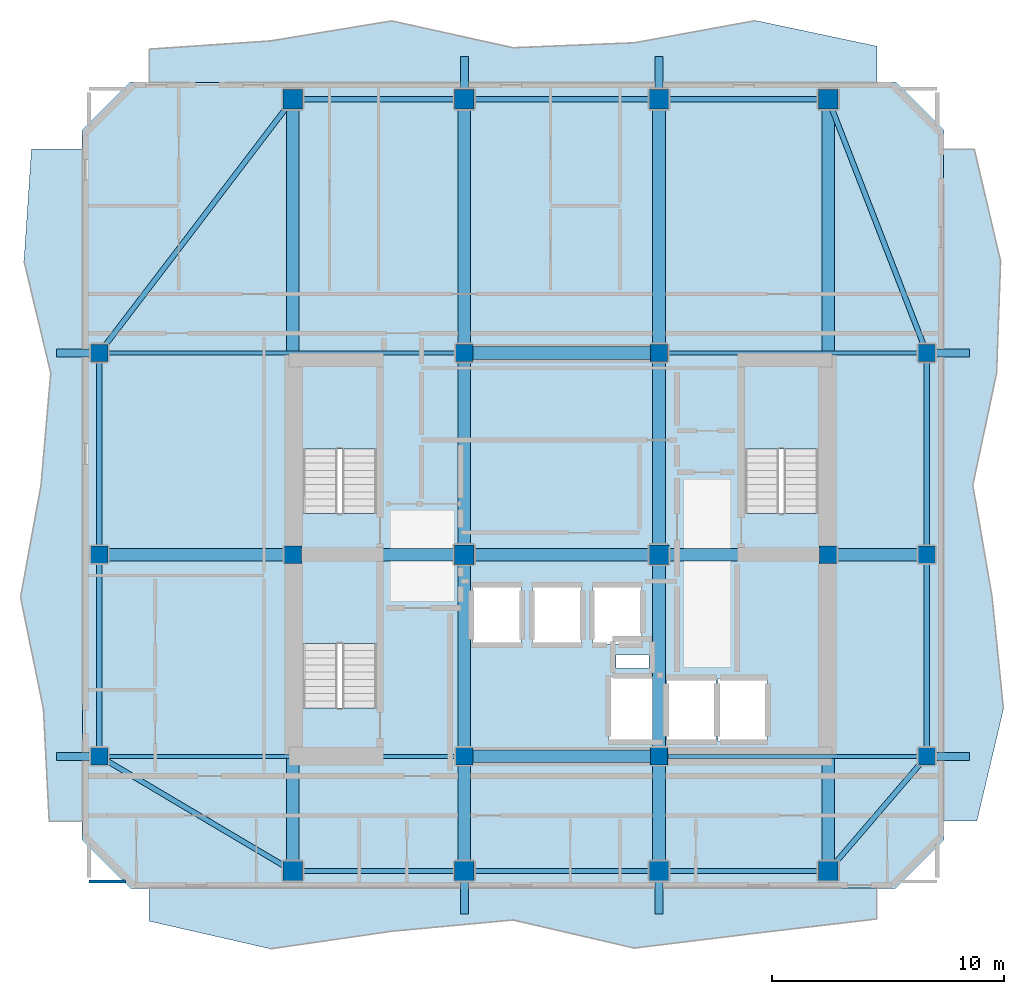
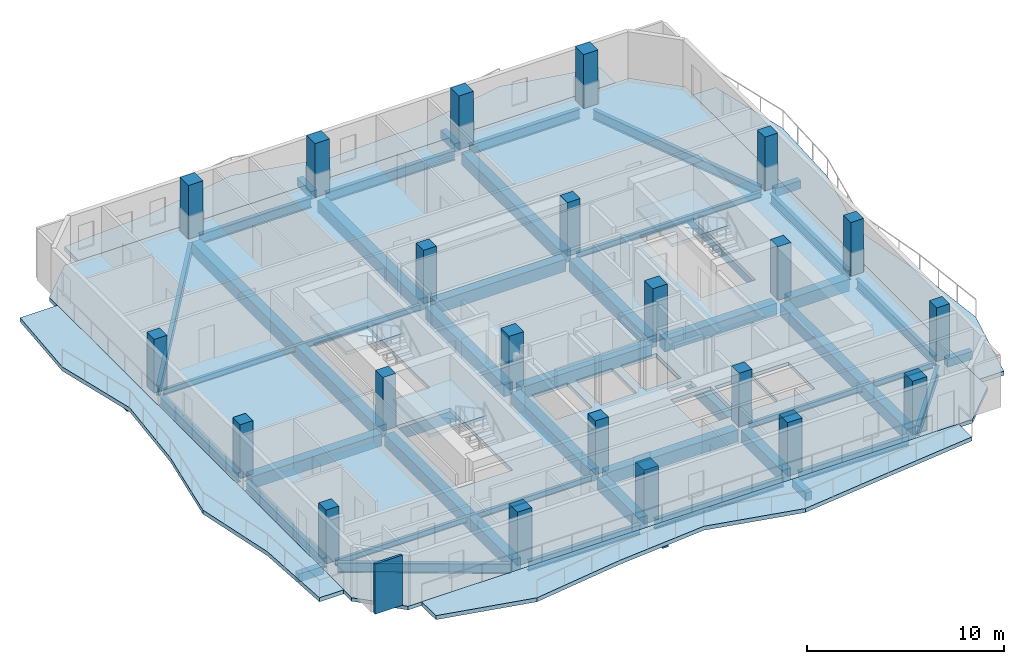
# One storey, part 1 of 10: 45 beams, 22 columns, 8 slabs, 1 wall, 3 elements without a shape of their own.
"""IFC4 building model written with IfcOpenShell, lengths in metres."""

from ifc_helpers import new_model, si_unit, direction, frame, frame_2d, origin, origin_2d, place, context, subcontext, project, spatial, polyline, rectangle, i_section, outline, extrude, material, layer, layer_set, material_profile, profile_set, type_object, element, aggregate, save


model = new_model("IFC4")

# Units and contexts
model_context = context("Model", 3, precision=1e-05, world=origin(), true_north=direction((0.0, 1.0)))
body_context = subcontext(model_context, "Body", "Model", "MODEL_VIEW")
ifc_project = project(units=[si_unit("LENGTHUNIT", "METRE"), si_unit("AREAUNIT", "SQUARE_METRE"), si_unit("VOLUMEUNIT", "CUBIC_METRE"), si_unit("PLANEANGLEUNIT", "RADIAN"), si_unit("MASSUNIT", "GRAM", prefix="KILO")], contexts=[model_context])

# Site, building, storey
site_placement = place(None, origin())
site = spatial("IfcSite", under=ifc_project, at=site_placement, CompositionType="ELEMENT")
building_placement = place(site_placement, origin())
building = spatial("IfcBuilding", under=site, at=building_placement, Name="Solanera Arch Residences", CompositionType="ELEMENT")
storey_placement = place(building_placement, frame((0.0, 0.0, 262.239990234375)))
storey = spatial("IfcBuildingStorey", under=building, at=storey_placement, Name="L76", CompositionType="ELEMENT", Elevation=262.239990234375)

# Columns
ifc_material_1 = material(Name="Concrete C40/50 (f'c = 45 MPa)", Category="concrete")
ifc_material_profile_1 = material_profile(ifc_material_1, rectangle(XDim=0.75, YDim=0.75, at=origin_2d()))
ifc_profile_set_1 = profile_set([ifc_material_profile_1], Name="Concrete C40/50 (f'c = 45 MPa)")
column_type_1 = type_object("IfcColumnType", Name="Structural Column RC-COL-750X750", PredefinedType="COLUMN", material=ifc_profile_set_1)
for number, where, z_axis, x_axis, name in (
    (1, (20.800048828125, 22.0, 0.0), (0.0, 0.0, 1.0), (1.0, 0.0, 0.0), "COL-L76-CB-SW"),
    (2, (29.199951171875, 22.0, 0.0), (0.0, 0.0, 1.0), (1.0, 0.0, 0.0), "COL-L76-CB-SE"),
    (3, (20.800048828125, 39.39990234375, 0.0), (0.0, 0.0, 1.0), (1.0, 0.0, 0.0), "COL-L76-CB-NW"),
    (4, (29.199951171875, 39.39990234375, 0.0), (0.0, 0.0, 1.0), (1.0, 0.0, 0.0), "COL-L76-CB-NE"),
    (5, (13.39990234375, 30.699951171875, 0.0), (0.0, 0.0, 1.0), (1.0, 0.0, 0.0), "COL-L76-CB-WW"),
    (6, (36.5, 30.699951171875, 0.0), (0.0, 0.0, 1.0), (1.0, 0.0, 0.0), "COL-L76-CB-EE"),
    (7, (5.050048828125, 22.0, 0.0), (0.0, 0.0, 1.0), (1.0, 0.0, 0.0), "COL-L76-TWR-09"),
    (8, (40.75, 22.0, 0.0), (0.0, 0.0, 1.0), (1.0, 0.0, 0.0), "COL-L76-TWR-10"),
    (9, (5.050048828125, 30.699951171875, 0.0), (0.0, 0.0, 1.0), (1.0, 0.0, 0.0), "COL-L76-TWR-11"),
    (10, (40.75, 30.699951171875, 0.0), (0.0, 0.0, 1.0), (1.0, 0.0, 0.0), "COL-L76-TWR-12"),
    (11, (5.050048828125, 39.39990234375, 0.0), (0.0, 0.0, 1.0), (1.0, 0.0, 0.0), "COL-L76-TWR-13"),
    (12, (40.75, 39.39990234375, 0.0), (0.0, 0.0, 1.0), (1.0, 0.0, 0.0), "COL-L76-TWR-14"),
):
    element("IfcColumn", number, at=place(storey_placement, frame(where, z_axis=z_axis, x_axis=x_axis)), inside=storey, type_object=column_type_1, Name=name, PredefinedType="COLUMN", context=body_context, shape_type="SweptSolid", body=[
        extrude(rectangle(XDim=0.75, YDim=0.75, at=origin_2d()), origin(), (0.0, 0.0, 1.0), 3.320068359375),
    ])
ifc_material_2 = material(Name="Concrete C40/50 (f'c = 45 MPa)", Category="concrete")
ifc_material_profile_2 = material_profile(ifc_material_2, rectangle(XDim=0.85009765625, YDim=0.85009765625, at=origin_2d()))
ifc_profile_set_2 = profile_set([ifc_material_profile_2], Name="Concrete C40/50 (f'c = 45 MPa)")
column_type_2 = type_object("IfcColumnType", Name="Structural Column RC-COL-850X850", PredefinedType="COLUMN", material=ifc_profile_set_2)
for number, where, z_axis, x_axis, name in (
    (13, (20.800048828125, 30.699951171875, 0.0), (0.0, 0.0, 1.0), (1.0, 0.0, 0.0), "COL-L76-CORE-W"),
    (14, (29.199951171875, 30.699951171875, 0.0), (0.0, 0.0, 1.0), (1.0, 0.0, 0.0), "COL-L76-CORE-E"),
    (15, (13.39990234375, 17.050048828125, 0.0), (0.0, 0.0, 1.0), (1.0, 0.0, 0.0), "COL-L76-TWR-01"),
    (16, (13.39990234375, 50.35009765625, 0.0), (0.0, 0.0, 1.0), (1.0, 0.0, 0.0), "COL-L76-TWR-02"),
    (17, (20.800048828125, 17.050048828125, 0.0), (0.0, 0.0, 1.0), (1.0, 0.0, 0.0), "COL-L76-TWR-03"),
    (18, (20.800048828125, 50.35009765625, 0.0), (0.0, 0.0, 1.0), (1.0, 0.0, 0.0), "COL-L76-TWR-04"),
    (19, (29.199951171875, 17.050048828125, 0.0), (0.0, 0.0, 1.0), (1.0, 0.0, 0.0), "COL-L76-TWR-05"),
    (20, (29.199951171875, 50.35009765625, 0.0), (0.0, 0.0, 1.0), (1.0, 0.0, 0.0), "COL-L76-TWR-06"),
    (21, (36.5, 17.050048828125, 0.0), (0.0, 0.0, 1.0), (1.0, 0.0, 0.0), "COL-L76-TWR-07"),
    (22, (36.5, 50.35009765625, 0.0), (0.0, 0.0, 1.0), (1.0, 0.0, 0.0), "COL-L76-TWR-08"),
):
    element("IfcColumn", number, at=place(storey_placement, frame(where, z_axis=z_axis, x_axis=x_axis)), inside=storey, type_object=column_type_2, Name=name, PredefinedType="COLUMN", context=body_context, shape_type="SweptSolid", body=[
        extrude(rectangle(XDim=0.85009765625, YDim=0.85009765625, at=origin_2d()), origin(), (0.0, 0.0, 1.0), 3.320068359375),
    ])

# Beams
ifc_material_3 = material(Name="Concrete C40/50 (f'c = 45 MPa)", Category="concrete")
ifc_material_profile_3 = material_profile(ifc_material_3, rectangle(XDim=0.35009765625, YDim=0.5, at=origin_2d()))
ifc_profile_set_3 = profile_set([ifc_material_profile_3], Name="Concrete C40/50 (f'c = 45 MPa)")
beam_type_1 = type_object("IfcBeamType", Name="BM-BALC-RIB", PredefinedType="BEAM", material=ifc_profile_set_3)
for number, where, z_axis, x_axis, name in (
    (23, (20.800048828125, 15.199951171875, -0.5), (0.0, 1.0, 0.0), (-1.0, 0.0, 0.0), "BM-L76-BRIB-S1"),
    (24, (29.199951171875, 15.199951171875, -0.5), (0.0, 1.0, 0.0), (-1.0, 0.0, 0.0), "BM-L76-BRIB-S2"),
    (25, (20.800048828125, 50.77490234375, -0.5), (0.0, 1.0, 0.0), (-1.0, 0.0, 0.0), "BM-L76-BRIB-N1"),
    (26, (29.199951171875, 50.77490234375, -0.5), (0.0, 1.0, 0.0), (-1.0, 0.0, 0.0), "BM-L76-BRIB-N2"),
):
    element("IfcBeam", number, at=place(storey_placement, frame(where, z_axis=z_axis, x_axis=x_axis)), inside=storey, type_object=beam_type_1, Name=name, PredefinedType="BEAM", context=body_context, shape_type="SweptSolid", body=[
        extrude(rectangle(XDim=0.35009765625, YDim=0.5, at=origin_2d()), origin(), (0.0, 0.0, 1.0), 1.425048828125),
    ])
for number, where, z_axis, x_axis, name in (
    (27, (41.125, 22.0, -0.5), (1.0, 0.0, 0.0), (0.0, 1.0, 0.0), "BM-L76-BRIB-E1"),
    (28, (41.125, 39.39990234375, -0.5), (1.0, 0.0, 0.0), (0.0, 1.0, 0.0), "BM-L76-BRIB-E2"),
    (29, (3.199951171875, 22.0, -0.5), (1.0, 0.0, 0.0), (0.0, 1.0, 0.0), "BM-L76-BRIB-W1"),
    (30, (3.199951171875, 39.39990234375, -0.5), (1.0, 0.0, 0.0), (0.0, 1.0, 0.0), "BM-L76-BRIB-W2"),
):
    element("IfcBeam", number, at=place(storey_placement, frame(where, z_axis=z_axis, x_axis=x_axis)), inside=storey, type_object=beam_type_1, Name=name, PredefinedType="BEAM", context=body_context, shape_type="SweptSolid", body=[
        extrude(rectangle(XDim=0.35009765625, YDim=0.5, at=origin_2d()), origin(), (0.0, 0.0, 1.0), 1.47509765625),
    ])
ifc_material_4 = material(Name="Concrete C40/50 (f'c = 45 MPa)", Category="concrete")
ifc_material_profile_4 = material_profile(ifc_material_4, rectangle(XDim=0.550048828125, YDim=0.75, at=origin_2d()))
ifc_profile_set_4 = profile_set([ifc_material_profile_4], Name="Concrete C40/50 (f'c = 45 MPa)")
beam_type_2 = type_object("IfcBeamType", Name="Primary Beam RC-BM-550X750", PredefinedType="BEAM", material=ifc_profile_set_4)
beam_1_placement = place(storey_placement, frame((20.800048828125, 22.37890625, -0.594970703125), z_axis=(0.0, 1.0, 0.0), x_axis=(-1.0, 0.0, 0.0)))
element("IfcBeam", 31, at=beam_1_placement, inside=storey, type_object=beam_type_2, Name="BM-L76-CC-S-208", PredefinedType="BEAM", context=body_context, shape_type="SweptSolid", body=[
    extrude(rectangle(XDim=0.550048828125, YDim=0.75, at=origin_2d()), origin(), (0.0, 0.0, 1.0), 7.942138671875),
])
beam_2_placement = place(storey_placement, frame((20.800048828125, 31.0791015625, -0.594970703125), z_axis=(0.0, 1.0, 0.0), x_axis=(-1.0, 0.0, 0.0)))
element("IfcBeam", 32, at=beam_2_placement, inside=storey, type_object=beam_type_2, Name="BM-L76-CC-N-208", PredefinedType="BEAM", context=body_context, shape_type="SweptSolid", body=[
    extrude(rectangle(XDim=0.550048828125, YDim=0.75, at=origin_2d()), origin(), (0.0, 0.0, 1.0), 7.94189453125),
])
beam_3_placement = place(storey_placement, frame((29.199951171875, 22.37890625, -0.594970703125), z_axis=(0.0, 1.0, 0.0), x_axis=(-1.0, 0.0, 0.0)))
element("IfcBeam", 33, at=beam_3_placement, inside=storey, type_object=beam_type_2, Name="BM-L76-CC-S-292", PredefinedType="BEAM", context=body_context, shape_type="SweptSolid", body=[
    extrude(rectangle(XDim=0.550048828125, YDim=0.75, at=origin_2d()), origin(), (0.0, 0.0, 1.0), 7.942138671875),
])
beam_4_placement = place(storey_placement, frame((29.199951171875, 31.0791015625, -0.594970703125), z_axis=(0.0, 1.0, 0.0), x_axis=(-1.0, 0.0, 0.0)))
element("IfcBeam", 34, at=beam_4_placement, inside=storey, type_object=beam_type_2, Name="BM-L76-CC-N-292", PredefinedType="BEAM", context=body_context, shape_type="SweptSolid", body=[
    extrude(rectangle(XDim=0.550048828125, YDim=0.75, at=origin_2d()), origin(), (0.0, 0.0, 1.0), 7.94189453125),
])
for number, where, z_axis, x_axis, name in (
    (35, (21.178955078125, 22.0, -0.594970703125), (1.0, 0.0, 0.0), (0.0, 1.0, 0.0), "BM-L76-CC-M-220"),
    (36, (21.178955078125, 30.699951171875, -0.594970703125), (1.0, 0.0, 0.0), (0.0, 1.0, 0.0), "BM-L76-CC-M-307"),
    (37, (21.178955078125, 39.39990234375, -0.594970703125), (1.0, 0.0, 0.0), (0.0, 1.0, 0.0), "BM-L76-CC-M-394"),
):
    element("IfcBeam", number, at=place(storey_placement, frame(where, z_axis=z_axis, x_axis=x_axis)), inside=storey, type_object=beam_type_2, Name=name, PredefinedType="BEAM", context=body_context, shape_type="SweptSolid", body=[
        extrude(rectangle(XDim=0.550048828125, YDim=0.75, at=origin_2d()), origin(), (0.0, 0.0, 1.0), 7.64208984375),
    ])
beam_5_placement = place(storey_placement, frame((13.779052734375, 30.699951171875, -0.594970703125), z_axis=(1.0, 0.0, 0.0), x_axis=(0.0, 1.0, 0.0)))
element("IfcBeam", 38, at=beam_5_placement, inside=storey, type_object=beam_type_2, Name="BM-L76-CC-W", PredefinedType="BEAM", context=body_context, shape_type="SweptSolid", body=[
    extrude(rectangle(XDim=0.550048828125, YDim=0.75, at=origin_2d()), origin(), (0.0, 0.0, 1.0), 6.641845703125),
])
beam_6_placement = place(storey_placement, frame((29.5791015625, 30.699951171875, -0.594970703125), z_axis=(1.0, 0.0, 0.0), x_axis=(0.0, 1.0, 0.0)))
element("IfcBeam", 39, at=beam_6_placement, inside=storey, type_object=beam_type_2, Name="BM-L76-CC-E", PredefinedType="BEAM", context=body_context, shape_type="SweptSolid", body=[
    extrude(rectangle(XDim=0.550048828125, YDim=0.75, at=origin_2d()), origin(), (0.0, 0.0, 1.0), 6.5419921875),
])
beam_7_placement = place(storey_placement, frame((20.800048828125, 17.47900390625, -0.594970703125), z_axis=(0.0, 1.0, 0.0), x_axis=(-1.0, 0.0, 0.0)))
element("IfcBeam", 40, at=beam_7_placement, inside=storey, type_object=beam_type_2, Name="BM-L76-RAD-S-208", PredefinedType="BEAM", context=body_context, shape_type="SweptSolid", body=[
    extrude(rectangle(XDim=0.550048828125, YDim=0.75, at=origin_2d()), origin(), (0.0, 0.0, 1.0), 4.14208984375),
])
beam_8_placement = place(storey_placement, frame((20.800048828125, 39.779052734375, -0.594970703125), z_axis=(0.0, 1.0, 0.0), x_axis=(-1.0, 0.0, 0.0)))
element("IfcBeam", 41, at=beam_8_placement, inside=storey, type_object=beam_type_2, Name="BM-L76-RAD-N-208", PredefinedType="BEAM", context=body_context, shape_type="SweptSolid", body=[
    extrude(rectangle(XDim=0.550048828125, YDim=0.75, at=origin_2d()), origin(), (0.0, 0.0, 1.0), 10.141845703125),
])
beam_9_placement = place(storey_placement, frame((29.199951171875, 17.47900390625, -0.594970703125), z_axis=(0.0, 1.0, 0.0), x_axis=(-1.0, 0.0, 0.0)))
element("IfcBeam", 42, at=beam_9_placement, inside=storey, type_object=beam_type_2, Name="BM-L76-RAD-S-292", PredefinedType="BEAM", context=body_context, shape_type="SweptSolid", body=[
    extrude(rectangle(XDim=0.550048828125, YDim=0.75, at=origin_2d()), origin(), (0.0, 0.0, 1.0), 4.14208984375),
])
beam_10_placement = place(storey_placement, frame((29.199951171875, 39.779052734375, -0.594970703125), z_axis=(0.0, 1.0, 0.0), x_axis=(-1.0, 0.0, 0.0)))
element("IfcBeam", 43, at=beam_10_placement, inside=storey, type_object=beam_type_2, Name="BM-L76-RAD-N-292", PredefinedType="BEAM", context=body_context, shape_type="SweptSolid", body=[
    extrude(rectangle(XDim=0.550048828125, YDim=0.75, at=origin_2d()), origin(), (0.0, 0.0, 1.0), 10.141845703125),
])
beam_11_placement = place(storey_placement, frame((13.39990234375, 17.47900390625, -0.594970703125), z_axis=(0.0, 1.0, 0.0), x_axis=(-1.0, 0.0, 0.0)))
element("IfcBeam", 44, at=beam_11_placement, inside=storey, type_object=beam_type_2, Name="BM-L76-RAD-OS-134", PredefinedType="BEAM", context=body_context, shape_type="SweptSolid", body=[
    extrude(rectangle(XDim=0.550048828125, YDim=0.75, at=origin_2d()), origin(), (0.0, 0.0, 1.0), 12.842041015625),
])
beam_12_placement = place(storey_placement, frame((13.39990234375, 31.0791015625, -0.594970703125), z_axis=(0.0, 1.0, 0.0), x_axis=(-1.0, 0.0, 0.0)))
element("IfcBeam", 45, at=beam_12_placement, inside=storey, type_object=beam_type_2, Name="BM-L76-RAD-ON-134", PredefinedType="BEAM", context=body_context, shape_type="SweptSolid", body=[
    extrude(rectangle(XDim=0.550048828125, YDim=0.75, at=origin_2d()), origin(), (0.0, 0.0, 1.0), 18.841796875),
])
beam_13_placement = place(storey_placement, frame((36.5, 17.47900390625, -0.594970703125), z_axis=(0.0, 1.0, 0.0), x_axis=(-1.0, 0.0, 0.0)))
element("IfcBeam", 46, at=beam_13_placement, inside=storey, type_object=beam_type_2, Name="BM-L76-RAD-OS-365", PredefinedType="BEAM", context=body_context, shape_type="SweptSolid", body=[
    extrude(rectangle(XDim=0.550048828125, YDim=0.75, at=origin_2d()), origin(), (0.0, 0.0, 1.0), 12.842041015625),
])
beam_14_placement = place(storey_placement, frame((36.5, 31.0791015625, -0.594970703125), z_axis=(0.0, 1.0, 0.0), x_axis=(-1.0, 0.0, 0.0)))
element("IfcBeam", 47, at=beam_14_placement, inside=storey, type_object=beam_type_2, Name="BM-L76-RAD-ON-365", PredefinedType="BEAM", context=body_context, shape_type="SweptSolid", body=[
    extrude(rectangle(XDim=0.550048828125, YDim=0.75, at=origin_2d()), origin(), (0.0, 0.0, 1.0), 18.841796875),
])
beam_15_placement = place(storey_placement, frame((5.428955078125, 30.699951171875, -0.594970703125), z_axis=(1.0, 0.0, 0.0), x_axis=(0.0, 1.0, 0.0)))
element("IfcBeam", 48, at=beam_15_placement, inside=storey, type_object=beam_type_2, Name="BM-L76-RAD-MW", PredefinedType="BEAM", context=body_context, shape_type="SweptSolid", body=[
    extrude(rectangle(XDim=0.550048828125, YDim=0.75, at=origin_2d()), origin(), (0.0, 0.0, 1.0), 7.592041015625),
])
beam_16_placement = place(storey_placement, frame((36.87890625, 30.699951171875, -0.594970703125), z_axis=(1.0, 0.0, 0.0), x_axis=(0.0, 1.0, 0.0)))
element("IfcBeam", 49, at=beam_16_placement, inside=storey, type_object=beam_type_2, Name="BM-L76-RAD-ME", PredefinedType="BEAM", context=body_context, shape_type="SweptSolid", body=[
    extrude(rectangle(XDim=0.550048828125, YDim=0.75, at=origin_2d()), origin(), (0.0, 0.0, 1.0), 3.4921875),
])
ifc_material_5 = material(Name="Steel S355 (ASTM A992 / A572 Grade 50)", Category="steel")
ifc_material_profile_5 = material_profile(ifc_material_5, i_section(OverallWidth=0.172119140625, OverallDepth=0.35791015625, WebThickness=0.0078125, FlangeThickness=0.01318359375, at=origin_2d()))
ifc_profile_set_5 = profile_set([ifc_material_profile_5], Name="Steel S355 (ASTM A992 / A572 Grade 50)")
beam_type_3 = type_object("IfcBeamType", Name="Secondary Joist W360X57.8", PredefinedType="JOIST", material=ifc_profile_set_5)
beam_17_placement = place(storey_placement, frame((5.428955078125, 22.0, -0.39892578125), z_axis=(1.0, 0.0, 0.0), x_axis=(0.0, 1.0, 0.0)))
element("IfcBeam", 50, at=beam_17_placement, inside=storey, type_object=beam_type_3, Name="BM-L76-RAD-W-220", PredefinedType="JOIST", context=body_context, shape_type="SweptSolid", body=[
    extrude(i_section(OverallWidth=0.172119140625, OverallDepth=0.35791015625, WebThickness=0.0078125, FlangeThickness=0.01318359375, at=origin_2d()), origin(), (0.0, 0.0, 1.0), 14.991943359375),
])
beam_18_placement = place(storey_placement, frame((29.5791015625, 22.0, -0.39892578125), z_axis=(1.0, 0.0, 0.0), x_axis=(0.0, 1.0, 0.0)))
element("IfcBeam", 51, at=beam_18_placement, inside=storey, type_object=beam_type_3, Name="BM-L76-RAD-E-220", PredefinedType="JOIST", context=body_context, shape_type="SweptSolid", body=[
    extrude(i_section(OverallWidth=0.172119140625, OverallDepth=0.35791015625, WebThickness=0.0078125, FlangeThickness=0.01318359375, at=origin_2d()), origin(), (0.0, 0.0, 1.0), 10.7919921875),
])
beam_19_placement = place(storey_placement, frame((5.428955078125, 39.39990234375, -0.39892578125), z_axis=(1.0, 0.0, 0.0), x_axis=(0.0, 1.0, 0.0)))
element("IfcBeam", 52, at=beam_19_placement, inside=storey, type_object=beam_type_3, Name="BM-L76-RAD-W-394", PredefinedType="JOIST", context=body_context, shape_type="SweptSolid", body=[
    extrude(i_section(OverallWidth=0.172119140625, OverallDepth=0.35791015625, WebThickness=0.0078125, FlangeThickness=0.01318359375, at=origin_2d()), origin(), (0.0, 0.0, 1.0), 14.991943359375),
])
beam_20_placement = place(storey_placement, frame((29.5791015625, 39.39990234375, -0.39892578125), z_axis=(1.0, 0.0, 0.0), x_axis=(0.0, 1.0, 0.0)))
element("IfcBeam", 53, at=beam_20_placement, inside=storey, type_object=beam_type_3, Name="BM-L76-RAD-E-394", PredefinedType="JOIST", context=body_context, shape_type="SweptSolid", body=[
    extrude(i_section(OverallWidth=0.172119140625, OverallDepth=0.35791015625, WebThickness=0.0078125, FlangeThickness=0.01318359375, at=origin_2d()), origin(), (0.0, 0.0, 1.0), 10.7919921875),
])
ifc_material_6 = material(Name="Steel S355 (ASTM A992 / A572 Grade 50)", Category="steel")
ifc_material_profile_6 = material_profile(ifc_material_6, i_section(OverallWidth=0.22802734375, OverallDepth=0.60791015625, WebThickness=0.01123046875, FlangeThickness=0.017333984375, at=origin_2d()))
ifc_profile_set_6 = profile_set([ifc_material_profile_6], Name="Steel S355 (ASTM A992 / A572 Grade 50)")
beam_type_4 = type_object("IfcBeamType", Name="Spandrel Beam W610X113", PredefinedType="SPANDREL", material=ifc_profile_set_6)
for number, where, z_axis, x_axis, name in (
    (54, (13.8291015625, 17.050048828125, -0.52392578125), (1.0, 0.0, 0.0), (0.0, 1.0, 0.0), "BM-L76-SPN-S-1"),
    (55, (13.8291015625, 50.35009765625, -0.52392578125), (1.0, 0.0, 0.0), (0.0, 1.0, 0.0), "BM-L76-SPN-N-1"),
):
    element("IfcBeam", number, at=place(storey_placement, frame(where, z_axis=z_axis, x_axis=x_axis)), inside=storey, type_object=beam_type_4, Name=name, PredefinedType="SPANDREL", context=body_context, shape_type="SweptSolid", body=[
        extrude(i_section(OverallWidth=0.22802734375, OverallDepth=0.60791015625, WebThickness=0.01123046875, FlangeThickness=0.017333984375, at=origin_2d()), origin(), (0.0, 0.0, 1.0), 6.5419921875),
    ])
for number, where, z_axis, x_axis, name in (
    (56, (21.22900390625, 17.050048828125, -0.52392578125), (1.0, 0.0, 0.0), (0.0, 1.0, 0.0), "BM-L76-SPN-S-2"),
    (57, (21.22900390625, 50.35009765625, -0.52392578125), (1.0, 0.0, 0.0), (0.0, 1.0, 0.0), "BM-L76-SPN-N-2"),
):
    element("IfcBeam", number, at=place(storey_placement, frame(where, z_axis=z_axis, x_axis=x_axis)), inside=storey, type_object=beam_type_4, Name=name, PredefinedType="SPANDREL", context=body_context, shape_type="SweptSolid", body=[
        extrude(i_section(OverallWidth=0.22802734375, OverallDepth=0.60791015625, WebThickness=0.01123046875, FlangeThickness=0.017333984375, at=origin_2d()), origin(), (0.0, 0.0, 1.0), 7.5419921875),
    ])
for number, where, z_axis, x_axis, name in (
    (58, (29.62890625, 17.050048828125, -0.52392578125), (1.0, 0.0, 0.0), (0.0, 1.0, 0.0), "BM-L76-SPN-S-3"),
    (59, (29.62890625, 50.35009765625, -0.52392578125), (1.0, 0.0, 0.0), (0.0, 1.0, 0.0), "BM-L76-SPN-N-3"),
):
    element("IfcBeam", number, at=place(storey_placement, frame(where, z_axis=z_axis, x_axis=x_axis)), inside=storey, type_object=beam_type_4, Name=name, PredefinedType="SPANDREL", context=body_context, shape_type="SweptSolid", body=[
        extrude(i_section(OverallWidth=0.22802734375, OverallDepth=0.60791015625, WebThickness=0.01123046875, FlangeThickness=0.017333984375, at=origin_2d()), origin(), (0.0, 0.0, 1.0), 6.442138671875),
    ])
for number, where, z_axis, x_axis, name in (
    (60, (5.050048828125, 22.37890625, -0.52392578125), (0.0, 1.0, 0.0), (-1.0, 0.0, 0.0), "BM-L76-SPN-W-1"),
    (61, (40.75, 22.37890625, -0.52392578125), (0.0, 1.0, 0.0), (-1.0, 0.0, 0.0), "BM-L76-SPN-E-1"),
):
    element("IfcBeam", number, at=place(storey_placement, frame(where, z_axis=z_axis, x_axis=x_axis)), inside=storey, type_object=beam_type_4, Name=name, PredefinedType="SPANDREL", context=body_context, shape_type="SweptSolid", body=[
        extrude(i_section(OverallWidth=0.22802734375, OverallDepth=0.60791015625, WebThickness=0.01123046875, FlangeThickness=0.017333984375, at=origin_2d()), origin(), (0.0, 0.0, 1.0), 7.942138671875),
    ])
for number, where, z_axis, x_axis, name in (
    (62, (5.050048828125, 31.0791015625, -0.52392578125), (0.0, 1.0, 0.0), (-1.0, 0.0, 0.0), "BM-L76-SPN-W-2"),
    (63, (40.75, 31.0791015625, -0.52392578125), (0.0, 1.0, 0.0), (-1.0, 0.0, 0.0), "BM-L76-SPN-E-2"),
):
    element("IfcBeam", number, at=place(storey_placement, frame(where, z_axis=z_axis, x_axis=x_axis)), inside=storey, type_object=beam_type_4, Name=name, PredefinedType="SPANDREL", context=body_context, shape_type="SweptSolid", body=[
        extrude(i_section(OverallWidth=0.22802734375, OverallDepth=0.60791015625, WebThickness=0.01123046875, FlangeThickness=0.017333984375, at=origin_2d()), origin(), (0.0, 0.0, 1.0), 7.94189453125),
    ])
beam_21_placement = place(storey_placement, frame((12.971923828125, 17.303955078125, -0.52392578125), z_axis=(-0.860219624606, 0.509923717278, 0.0), x_axis=(-0.509923717278, -0.860219624606, 0.0)))
element("IfcBeam", 64, at=beam_21_placement, inside=storey, type_object=beam_type_4, Name="BM-L76-SPN-SW", PredefinedType="SPANDREL", context=body_context, shape_type="SweptSolid", body=[
    extrude(i_section(OverallWidth=0.22802734375, OverallDepth=0.60791015625, WebThickness=0.01123046875, FlangeThickness=0.017333984375, at=origin_2d()), origin(), (0.0, 0.0, 1.0), 8.769775390625),
])
beam_22_placement = place(storey_placement, frame((13.072998046875, 49.922119140625, -0.52392578125), z_axis=(-0.606356271812, -0.795193103362, 0.0), x_axis=(0.795193103362, -0.606356271812, 0.0)))
element("IfcBeam", 65, at=beam_22_placement, inside=storey, type_object=beam_type_4, Name="BM-L76-SPN-NW", PredefinedType="SPANDREL", context=body_context, shape_type="SweptSolid", body=[
    extrude(i_section(OverallWidth=0.22802734375, OverallDepth=0.60791015625, WebThickness=0.01123046875, FlangeThickness=0.017333984375, at=origin_2d()), origin(), (0.0, 0.0, 1.0), 12.756591796875),
])
beam_23_placement = place(storey_placement, frame((36.85205078125, 17.4599609375, -0.52392578125), z_axis=(0.651366641781, 0.758763136937, 0.0), x_axis=(-0.758763136937, 0.651366641781, 0.0)))
element("IfcBeam", 66, at=beam_23_placement, inside=storey, type_object=beam_type_4, Name="BM-L76-SPN-SE", PredefinedType="SPANDREL", context=body_context, shape_type="SweptSolid", body=[
    extrude(i_section(OverallWidth=0.22802734375, OverallDepth=0.60791015625, WebThickness=0.01123046875, FlangeThickness=0.017333984375, at=origin_2d()), origin(), (0.0, 0.0, 1.0), 5.4853515625),
])
beam_24_placement = place(storey_placement, frame((36.666015625, 49.9208984375, -0.52392578125), z_axis=(0.361884146567, -0.932223076556, 0.0), x_axis=(0.932223076556, 0.361884146567, 0.0)))
element("IfcBeam", 67, at=beam_24_placement, inside=storey, type_object=beam_type_4, Name="BM-L76-SPN-NE", PredefinedType="SPANDREL", context=body_context, shape_type="SweptSolid", body=[
    extrude(i_section(OverallWidth=0.22802734375, OverallDepth=0.60791015625, WebThickness=0.01123046875, FlangeThickness=0.017333984375, at=origin_2d()), origin(), (0.0, 0.0, 1.0), 10.879150390625),
])

# Slabs
ifc_material_7 = material(Name="Concrete C40/50 (f'c = 45 MPa)", Category="concrete")
ifc_layer_1 = layer(ifc_material_7, 0.25)
ifc_layer_set_1 = layer_set([ifc_layer_1], Name="Concrete C40/50 (f'c = 45 MPa)")
slab_type_1 = type_object("IfcSlabType", Name="Balcony Slab 250", PredefinedType="FLOOR", material=ifc_layer_set_1)
slab_1_placement = place(storey_placement, frame((0.0, 0.0, -0.25)))
element("IfcSlab", 68, at=slab_1_placement, inside=storey, type_object=slab_type_1, Name="L76 S Rippling Brise-Soleil Balcony Slab", PredefinedType="FLOOR", context=body_context, shape_type="SweptSolid", body=[
    extrude(outline(polyline([(7.199951171875, 14.887939453125), (12.43310546875, 13.694091796875), (17.6669921875, 14.452880859375), (22.89990234375, 14.93994140625), (28.133056640625, 13.72705078125), (33.366943359375, 14.368896484375), (38.60009765625, 14.98388671875), (38.60009765625, 16.320068359375), (7.199951171875, 16.320068359375), (7.199951171875, 14.887939453125)])), origin(), (0.0, 0.0, 1.0), 0.25),
])
slab_2_placement = place(storey_placement, frame((0.0, 0.0, -0.25)))
element("IfcSlab", 69, at=slab_2_placement, inside=storey, type_object=slab_type_1, Name="L76 N Rippling Brise-Soleil Balcony Slab", PredefinedType="FLOOR", context=body_context, shape_type="SweptSolid", body=[
    extrude(outline(polyline([(38.60009765625, 52.637939453125), (33.366943359375, 53.7451171875), (28.133056640625, 52.785888671875), (22.89990234375, 52.572021484375), (17.6669921875, 53.72998046875), (12.43310546875, 52.864990234375), (7.199951171875, 52.511962890625), (7.199951171875, 51.080078125), (38.60009765625, 51.080078125), (38.60009765625, 52.637939453125)])), origin(), (0.0, 0.0, 1.0), 0.25),
])
slab_3_placement = place(storey_placement, frame((0.0, 0.0, -0.25)))
element("IfcSlab", 70, at=slab_3_placement, inside=storey, type_object=slab_type_1, Name="L76 E Rippling Brise-Soleil Balcony Slab", PredefinedType="FLOOR", context=body_context, shape_type="SweptSolid", body=[
    extrude(outline(polyline([(42.912109375, 19.199951171875), (44.05908203125, 24.032958984375), (43.569091796875, 28.866943359375), (42.737060546875, 33.699951171875), (43.761962890625, 38.532958984375), (43.93505859375, 43.366943359375), (42.799072265625, 48.199951171875), (41.47998046875, 48.199951171875), (41.47998046875, 19.199951171875), (42.912109375, 19.199951171875)])), origin(), (0.0, 0.0, 1.0), 0.25),
])
slab_4_placement = place(storey_placement, frame((0.0, 0.0, -0.25)))
element("IfcSlab", 71, at=slab_4_placement, inside=storey, type_object=slab_type_1, Name="L76 W Rippling Brise-Soleil Balcony Slab", PredefinedType="FLOOR", context=body_context, shape_type="SweptSolid", body=[
    extrude(outline(polyline([(2.123046875, 48.199951171875), (1.802001953125, 43.366943359375), (2.955078125, 38.532958984375), (2.534912109375, 33.699951171875), (1.652099609375, 28.866943359375), (2.639892578125, 24.032958984375), (2.887939453125, 19.199951171875), (4.320068359375, 19.199951171875), (4.320068359375, 48.199951171875), (2.123046875, 48.199951171875)])), origin(), (0.0, 0.0, 1.0), 0.25),
])

# Stair, slab
ifc_material_8 = material(Name="Concrete C40/50 (f'c = 45 MPa)", Category="concrete")
stair_type = type_object("IfcStairType", Name="Tower Dogleg Exit Stair 1480", PredefinedType="HALF_TURN_STAIR", material=ifc_material_8)
stair_1_placement = place(storey_placement, origin())
stair_1 = element("IfcStair", 72, at=stair_1_placement, inside=storey, type_object=stair_type, Name="L76 Tower Core Exit Stair 1", PredefinedType="HALF_TURN_STAIR")
ifc_material_9 = material(Name="Concrete C40/50 (f'c = 45 MPa)", Category="concrete")
ifc_layer_2 = layer(ifc_material_9, 0.199951171875)
ifc_layer_set_2 = layer_set([ifc_layer_2], Name="Concrete C40/50 (f'c = 45 MPa)")
slab_type_2 = type_object("IfcSlabType", Name="Stair Half-Landing Slab 200", PredefinedType="LANDING", material=ifc_layer_set_2)
slab_5_placement = place(storey_placement, frame((0.0, 0.0, 1.4599609375)))
slab_5 = element("IfcSlab", 73, at=slab_5_placement, type_object=slab_type_2, Name="ST-T1 landing 1", PredefinedType="LANDING", context=body_context, shape_type="SweptSolid", body=[
    extrude(outline(polyline([(17.1201171875, 35.260009765625), (17.1201171875, 38.919921875), (13.719970703125, 38.919921875), (13.719970703125, 35.260009765625), (17.1201171875, 35.260009765625)])), origin(), (0.0, 0.0, 1.0), 0.199951171875),
])
aggregate(stair_1, [slab_5])

stair_2_placement = place(storey_placement, origin())
stair_2 = element("IfcStair", 74, at=stair_2_placement, inside=storey, type_object=stair_type, Name="L76 Tower Core Exit Stair 2", PredefinedType="HALF_TURN_STAIR")
slab_6_placement = place(storey_placement, frame((0.0, 0.0, 1.4599609375)))
slab_6 = element("IfcSlab", 75, at=slab_6_placement, type_object=slab_type_2, Name="ST-T2 landing 1", PredefinedType="LANDING", context=body_context, shape_type="SweptSolid", body=[
    extrude(outline(polyline([(36.179931640625, 35.260009765625), (36.179931640625, 38.919921875), (32.780029296875, 38.919921875), (32.780029296875, 35.260009765625), (36.179931640625, 35.260009765625)])), origin(), (0.0, 0.0, 1.0), 0.199951171875),
])
aggregate(stair_2, [slab_6])

stair_3_placement = place(storey_placement, origin())
stair_3 = element("IfcStair", 76, at=stair_3_placement, inside=storey, type_object=stair_type, Name="L76 Tower Core Exit Stair 3", PredefinedType="HALF_TURN_STAIR")
slab_7_placement = place(storey_placement, frame((0.0, 0.0, 1.4599609375)))
slab_7 = element("IfcSlab", 77, at=slab_7_placement, type_object=slab_type_2, Name="ST-T3 landing 1", PredefinedType="LANDING", context=body_context, shape_type="SweptSolid", body=[
    extrude(outline(polyline([(17.1201171875, 26.860107421875), (17.1201171875, 30.52001953125), (13.719970703125, 30.52001953125), (13.719970703125, 26.860107421875), (17.1201171875, 26.860107421875)])), origin(), (0.0, 0.0, 1.0), 0.199951171875),
])
aggregate(stair_3, [slab_7])

# Slab
ifc_material_10 = material(Name="Concrete C40/50 (f'c = 45 MPa)", Category="concrete")
ifc_layer_3 = layer(ifc_material_10, 0.219970703125)
ifc_layer_set_3 = layer_set([ifc_layer_3], Name="Concrete C40/50 (f'c = 45 MPa)")
slab_type_3 = type_object("IfcSlabType", Name="Suspended Floor Slab Post-Tensioned 220", PredefinedType="FLOOR", material=ifc_layer_set_3)
slab_8_placement = place(storey_placement, frame((0.0, 0.0, -0.219970703125)))
element("IfcSlab", 78, at=slab_8_placement, inside=storey, type_object=slab_type_3, Name="L76 Tower Post-Tensioned Floor Slab", PredefinedType="FLOOR", context=body_context, shape_type="SweptSolid", body=[
    extrude(outline(polyline([(6.39990234375, 16.300048828125), (39.39990234375, 16.300048828125), (41.5, 18.39990234375), (41.5, 49.0), (39.39990234375, 51.10009765625), (6.39990234375, 51.10009765625), (4.300048828125, 49.0), (4.300048828125, 18.39990234375), (6.39990234375, 16.300048828125)]), holes=[polyline([(13.840087890625, 32.48291015625), (13.840087890625, 38.800048828125), (17.0, 38.800048828125), (17.0, 32.48291015625), (13.840087890625, 32.48291015625)]), polyline([(32.89990234375, 32.48291015625), (32.89990234375, 38.800048828125), (36.06005859375, 38.800048828125), (36.06005859375, 32.48291015625), (32.89990234375, 32.48291015625)]), polyline([(13.840087890625, 24.0830078125), (13.840087890625, 30.39990234375), (17.0, 30.39990234375), (17.0, 24.0830078125), (13.840087890625, 24.0830078125)]), polyline([(21.14990234375, 29.35009765625), (23.25, 29.35009765625), (23.25, 26.85009765625), (21.14990234375, 26.85009765625), (21.14990234375, 29.35009765625)]), polyline([(23.75, 29.35009765625), (25.85009765625, 29.35009765625), (25.85009765625, 26.85009765625), (23.75, 26.85009765625), (23.75, 29.35009765625)]), polyline([(26.35009765625, 29.35009765625), (28.449951171875, 29.35009765625), (28.449951171875, 26.85009765625), (26.35009765625, 26.85009765625), (26.35009765625, 29.35009765625)]), polyline([(29.550048828125, 25.35009765625), (31.64990234375, 25.35009765625), (31.64990234375, 22.64990234375), (29.550048828125, 22.64990234375), (29.550048828125, 25.35009765625)]), polyline([(31.75, 25.35009765625), (33.85009765625, 25.35009765625), (33.85009765625, 22.64990234375), (31.75, 22.64990234375), (31.75, 25.35009765625)]), polyline([(27.050048828125, 25.449951171875), (29.35009765625, 25.449951171875), (29.35009765625, 22.64990234375), (27.050048828125, 22.64990234375), (27.050048828125, 25.449951171875)]), polyline([(27.340087890625, 26.3798828125), (28.760009765625, 26.3798828125), (28.760009765625, 25.820068359375), (27.340087890625, 25.820068359375), (27.340087890625, 26.3798828125)])]), origin(), (0.0, 0.0, 1.0), 0.219970703125),
])

# Wall
ifc_material_11 = material(Name="Autoclaved Aerated Concrete Blockwork", Category="masonry")
ifc_layer_4 = layer(ifc_material_11, 0.139892578125)
ifc_layer_set_4 = layer_set([ifc_layer_4], Name="Autoclaved Aerated Concrete Blockwork")
wall_type = type_object("IfcWallType", Name="Wet-Room Partition 140", PredefinedType="PARTITIONING", material=ifc_layer_set_4)
wall_placement = place(storey_placement, frame((4.60009765625, 16.60009765625, 0.0), z_axis=(0.0, 0.0, 1.0), x_axis=(1.0, 0.0, 0.0)))
element("IfcWall", 79, at=wall_placement, inside=storey, type_object=wall_type, Name="L76 Interior Partition H13 1", PredefinedType="PARTITIONING", context=body_context, shape_type="SweptSolid", body=[
    extrude(rectangle(XDim=1.5888671875, YDim=0.139892578125, at=frame_2d((0.79443359375, 0.0))), origin(), (0.0, 0.0, 1.0), 3.10009765625),
])

save(model, "model.ifc")
